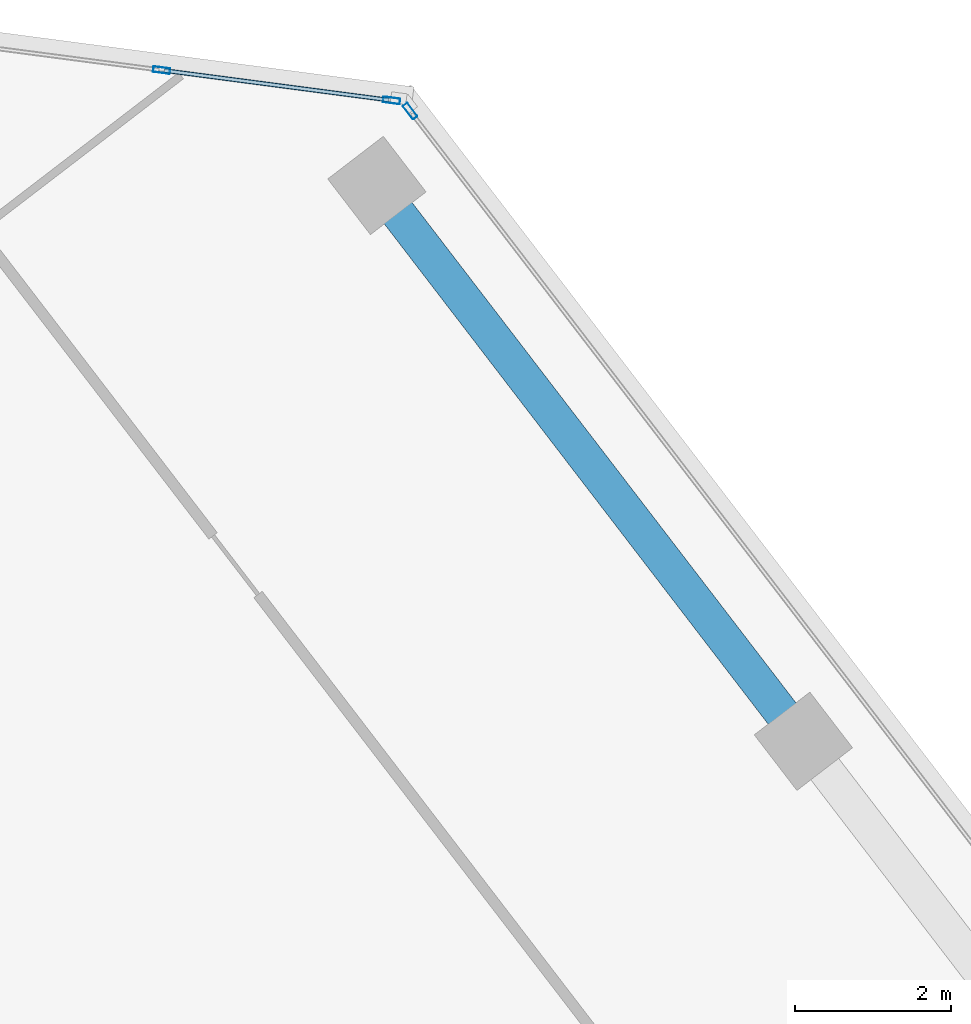
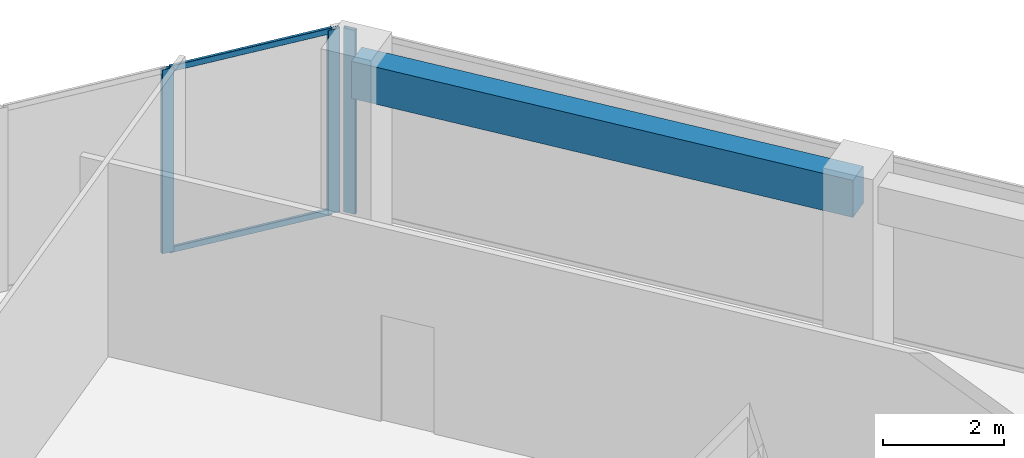
# One storey, part 10 of 17: 5 members, 1 beam, 2 elements without a shape of their own.
"""IFC4 building model written with IfcOpenShell, lengths in metres."""

from ifc_helpers import new_model, si_unit, direction, frame, origin, origin_2d, place, context, subcontext, project, spatial, rectangle, hollow_rectangle, extrude, source, transform, mapped, material, material_profile, profile_set, type_object, element, aggregate, save


model = new_model("IFC4")

# Units and contexts
model_context = context("Model", 3, precision=1e-05, world=origin(), true_north=direction((0.0, 1.0)))
body_context = subcontext(model_context, "Body", "Model", "MODEL_VIEW")
ifc_project = project(units=[si_unit("LENGTHUNIT", "METRE"), si_unit("AREAUNIT", "SQUARE_METRE"), si_unit("VOLUMEUNIT", "CUBIC_METRE"), si_unit("PLANEANGLEUNIT", "RADIAN"), si_unit("MASSUNIT", "GRAM", prefix="KILO")], contexts=[model_context])

# Site, building, storey
site_placement = place(None, origin())
site = spatial("IfcSite", under=ifc_project, at=site_placement, CompositionType="ELEMENT")
building_placement = place(site_placement, origin())
building = spatial("IfcBuilding", under=site, at=building_placement, Name="Torre Montelarca", CompositionType="ELEMENT")
storey_placement = place(building_placement, frame((0.0, 0.0, 283.60009765625)))
storey = spatial("IfcBuildingStorey", under=building, at=storey_placement, Name="L64", CompositionType="ELEMENT", Elevation=283.60009765625)

# Beam
ifc_material_1 = material(Name="Concrete C55/67", Category="concrete")
ifc_material_profile_1 = material_profile(ifc_material_1, rectangle(XDim=0.449951171875, YDim=0.75, at=origin_2d()), Name="RCB450X750", Category="concrete")
ifc_profile_set_1 = profile_set([ifc_material_profile_1], Name="Concrete C55/67")
beam_type = type_object("IfcBeamType", Name="BM-SP-RC750-EXT", PredefinedType="SPANDREL", material=ifc_profile_set_1)
shared_shape_1 = source(origin(), body_context, "Body", "SweptSolid", [
    extrude(rectangle(XDim=0.449951171875, YDim=0.75, at=origin_2d()), origin(), (0.0, 0.0, 1.0), 9.0),
])
beam_placement = place(storey_placement, frame((25.909912109375, 51.1396484375, 3.544921875), z_axis=(0.608757244327, -0.793356551293, 0.0), x_axis=(0.793356551293, 0.608757244327, 0.0)))
element("IfcBeam", 1, at=beam_placement, inside=storey, type_object=beam_type, Name="L64 Grid Girder X 9.0-18.0 at Y=47.1", PredefinedType="SPANDREL", context=body_context, shape_type="MappedRepresentation", body=[
    mapped(shared_shape_1, transform((0.0, 0.0, 0.0), scale=1.0)),
])

# Curtain wall, member
ifc_material_2 = material(Name="Insulated low-E laminated glass", Category="glass")
curtain_wall_type = type_object("IfcCurtainWallType", Name="CW-SYS-Z3", PredefinedType="USERDEFINED", material=ifc_material_2)
curtain_wall_1_placement = place(storey_placement, origin())
curtain_wall_1 = element("IfcCurtainWall", 2, at=curtain_wall_1_placement, inside=storey, type_object=curtain_wall_type, Name="L64 Curtain Wall Run CW-T3-L64-E08-B1", ObjectType="UNITISED GLAZING", PredefinedType="USERDEFINED")
ifc_material_3 = material(Name="Anodised aluminium AA 6063-T6", Category="aluminium")
ifc_material_profile_2 = material_profile(ifc_material_3, hollow_rectangle(XDim=0.074951171875, YDim=0.219970703125, WallThickness=0.0048828125, InnerFilletRadius=0.0048828125, OuterFilletRadius=0.010009765625, at=origin_2d()), Name="ALU75X220X5", Category="aluminium")
ifc_profile_set_2 = profile_set([ifc_material_profile_2], Name="Anodised aluminium AA 6063-T6")
member_type_1 = type_object("IfcMemberType", Name="CWM-ALU220", PredefinedType="MULLION", material=ifc_profile_set_2)
shared_shape_2 = source(origin(), body_context, "Body", "SweptSolid", [
    extrude(hollow_rectangle(XDim=0.074951171875, YDim=0.219970703125, WallThickness=0.0048828125, InnerFilletRadius=0.0048828125, OuterFilletRadius=0.010009765625, at=origin_2d()), origin(), (0.0, 0.0, 1.0), 3.719970703125),
])
member_1_placement = place(storey_placement, frame((26.33740234375, 52.09375, 0.0), z_axis=(0.0, 0.0, 1.0), x_axis=(-0.793353678896, -0.60876098773, 0.0)))
member_1 = element("IfcMember", 3, at=member_1_placement, type_object=member_type_1, Name="CW mullion 3", PredefinedType="MULLION", context=body_context, shape_type="MappedRepresentation", body=[
    mapped(shared_shape_2, transform((0.0, 0.0, 0.0), scale=1.0)),
])
aggregate(curtain_wall_1, [member_1])

# Curtain wall, members
curtain_wall_2_placement = place(storey_placement, origin())
curtain_wall_2 = element("IfcCurtainWall", 4, at=curtain_wall_2_placement, inside=storey, type_object=curtain_wall_type, Name="L64 Curtain Wall Run CW-T3-L64-E09-B1", ObjectType="UNITISED GLAZING", PredefinedType="USERDEFINED")
member_2_placement = place(storey_placement, frame((26.09814453125, 52.23193359375, 0.0), z_axis=(0.0, 0.0, 1.0), x_axis=(-0.130514118862, -0.991446450787, 0.0)))
member_2 = element("IfcMember", 5, at=member_2_placement, type_object=member_type_1, Name="CW mullion 1", PredefinedType="MULLION", context=body_context, shape_type="MappedRepresentation", body=[
    mapped(shared_shape_2, transform((0.0, 0.0, 0.0), scale=1.0)),
])
member_3_placement = place(storey_placement, frame((23.14501953125, 52.62060546875, 0.0), z_axis=(0.0, 0.0, 1.0), x_axis=(-0.130514118862, -0.991446450787, 0.0)))
member_3 = element("IfcMember", 6, at=member_3_placement, type_object=member_type_1, Name="CW mullion 2", PredefinedType="MULLION", context=body_context, shape_type="MappedRepresentation", body=[
    mapped(shared_shape_2, transform((0.0, 0.0, 0.0), scale=1.0)),
])
ifc_material_profile_3 = material_profile(ifc_material_3, hollow_rectangle(XDim=0.054931640625, YDim=0.1201171875, WallThickness=0.00341796875, InnerFilletRadius=0.00341796875, OuterFilletRadius=0.007080078125, at=origin_2d()), Name="ALU55X120X3.5", Category="aluminium")
ifc_profile_set_3 = profile_set([ifc_material_profile_3], Name="Anodised aluminium AA 6063-T6")
member_type_2 = type_object("IfcMemberType", Name="CWT-ALU120", PredefinedType="USERDEFINED", material=ifc_profile_set_3)
shared_shape_3 = source(origin(), body_context, "Body", "SweptSolid", [
    extrude(hollow_rectangle(XDim=0.054931640625, YDim=0.1201171875, WallThickness=0.00341796875, InnerFilletRadius=0.00341796875, OuterFilletRadius=0.007080078125, at=origin_2d()), origin(), (0.0, 0.0, 1.0), 2.90380859375),
])
member_4_placement = place(storey_placement, frame((26.06103515625, 52.23681640625, 0.02734375), z_axis=(-0.991449716135, 0.13048931135, 0.0), x_axis=(-0.13048931135, -0.991449716135, 0.0)))
member_4 = element("IfcMember", 7, at=member_4_placement, type_object=member_type_2, Name="CW transom 1.1", ObjectType="TRANSOM", PredefinedType="USERDEFINED", context=body_context, shape_type="MappedRepresentation", body=[
    mapped(shared_shape_3, transform((0.0, 0.0, 0.0), scale=1.0)),
])
member_5_placement = place(storey_placement, frame((26.06103515625, 52.23681640625, 3.6923828125), z_axis=(-0.991449716135, 0.13048931135, 0.0), x_axis=(-0.13048931135, -0.991449716135, 0.0)))
member_5 = element("IfcMember", 8, at=member_5_placement, type_object=member_type_2, Name="CW transom 1.2", ObjectType="TRANSOM", PredefinedType="USERDEFINED", context=body_context, shape_type="MappedRepresentation", body=[
    mapped(shared_shape_3, transform((0.0, 0.0, 0.0), scale=1.0)),
])
aggregate(curtain_wall_2, [member_2, member_3, member_4, member_5])

save(model, "model.ifc")
